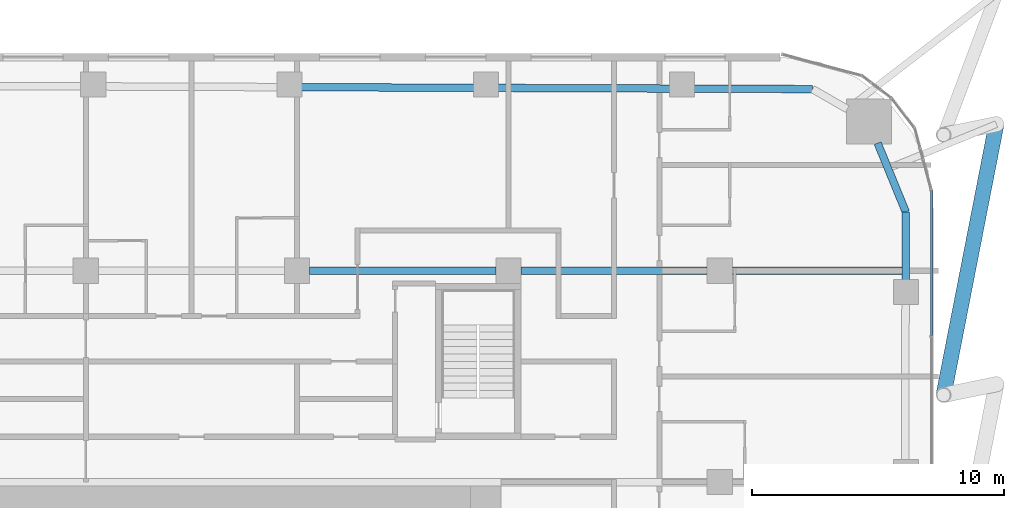
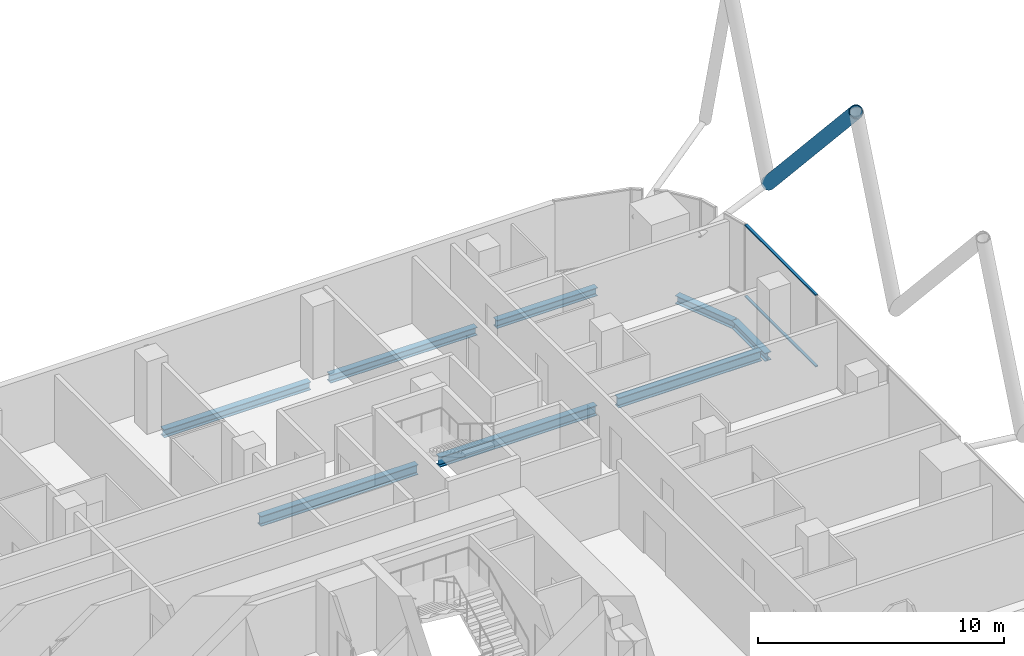
# One storey, part 14 of 36: 8 beams, 3 members, 1 element without a shape of its own.
"""IFC4 building model written with IfcOpenShell, lengths in metres."""

from ifc_helpers import new_model, si_unit, direction, frame, origin, origin_2d, place, context, subcontext, project, spatial, rectangle, hollow_circle, i_section, extrude, material, layer, layer_set, material_profile, profile_set, type_object, element, aggregate, save


model = new_model("IFC4")

# Units and contexts
model_context = context("Model", 3, precision=1e-05, world=origin(), true_north=direction((0.0, 1.0)))
body_context = subcontext(model_context, "Body", "Model", "MODEL_VIEW")
ifc_project = project(units=[si_unit("LENGTHUNIT", "METRE"), si_unit("AREAUNIT", "SQUARE_METRE"), si_unit("VOLUMEUNIT", "CUBIC_METRE"), si_unit("PLANEANGLEUNIT", "RADIAN"), si_unit("MASSUNIT", "GRAM", prefix="KILO")], contexts=[model_context])

# Site, building, storey
site_placement = place(None, origin())
site = spatial("IfcSite", under=ifc_project, at=site_placement, CompositionType="ELEMENT")
building_placement = place(site_placement, origin())
building = spatial("IfcBuilding", under=site, at=building_placement, Name="Marenta Gate Hotel Tower", CompositionType="ELEMENT")
storey_placement = place(building_placement, frame((0.0, 0.0, 83.300048828125)))
storey = spatial("IfcBuildingStorey", under=building, at=storey_placement, Name="L19", CompositionType="ELEMENT", Elevation=83.300048828125)

# Member
ifc_material_1 = material(Name="Steel S355J2W", Category="steel")
ifc_material_profile_1 = material_profile(ifc_material_1, hollow_circle(Radius=0.304931640625, WallThickness=0.0400390625, at=origin_2d()), Name="CHS 610x40")
ifc_profile_set_1 = profile_set([ifc_material_profile_1], Name="Steel S355J2W")
member_type_1 = type_object("IfcMemberType", Name="Diagrid diagonal T1 CHS 610x40", PredefinedType="BRACE", material=ifc_profile_set_1)
member_1_placement = place(storey_placement, frame((32.0, 31.030029296875, 3.139892578125), z_axis=(-0.136403114628, -0.69952185523, 0.701472283398), x_axis=(0.981514045442, -0.191390121478, 0.0)))
element("IfcMember", 1, at=member_1_placement, inside=storey, type_object=member_type_1, Name="L19-DG-2", PredefinedType="BRACE", context=body_context, shape_type="SweptSolid", body=[
    extrude(hollow_circle(Radius=0.304931640625, WallThickness=0.0400390625, at=origin_2d()), origin(), (0.0, 0.0, 1.0), 15.396240234375),
])

# Beams
ifc_material_2 = material(Name="Steel S355", Category="steel")
ifc_material_profile_2 = material_profile(ifc_material_2, i_section(OverallWidth=0.300048828125, OverallDepth=0.39990234375, WebThickness=0.013427734375, FlangeThickness=0.02392578125, FilletRadius=0.027099609375, at=origin_2d()), Name="HEB 400")
ifc_profile_set_2 = profile_set([ifc_material_profile_2], Name="Steel S355")
beam_type_1 = type_object("IfcBeamType", Name="Edge beam HEB 400", PredefinedType="SPANDREL", material=ifc_profile_set_2)
for number, where, z_axis, x_axis, name in (
    (2, (4.361328125, 32.4970703125, -0.4599609375), (0.999993064268, -0.003724435008, 0.0), (0.003724435008, 0.999993064268, 0.0), "L19-EB-17"),
    (3, (12.1640625, 32.468017578125, -0.4599609375), (0.999993064268, -0.003724435008, 0.0), (0.003724435008, 0.999993064268, 0.0), "L19-EB-18"),
):
    element("IfcBeam", number, at=place(storey_placement, frame(where, z_axis=z_axis, x_axis=x_axis)), inside=storey, type_object=beam_type_1, Name=name, PredefinedType="SPANDREL", context=body_context, shape_type="SweptSolid", body=[
        extrude(i_section(OverallWidth=0.300048828125, OverallDepth=0.39990234375, WebThickness=0.013427734375, FlangeThickness=0.02392578125, FilletRadius=0.027099609375, at=origin_2d()), origin(), (0.0, 0.0, 1.0), 6.8828125),
    ])
beam_1_placement = place(storey_placement, frame((19.966796875, 32.43896484375, -0.4599609375), z_axis=(0.999993080272, -0.003720135464, 0.0), x_axis=(0.003720135464, 0.999993080272, 0.0)))
element("IfcBeam", 4, at=beam_1_placement, inside=storey, type_object=beam_type_1, Name="L19-EB-19", PredefinedType="SPANDREL", context=body_context, shape_type="SweptSolid", body=[
    extrude(i_section(OverallWidth=0.300048828125, OverallDepth=0.39990234375, WebThickness=0.013427734375, FlangeThickness=0.02392578125, FilletRadius=0.027099609375, at=origin_2d()), origin(), (0.0, 0.0, 1.0), 4.72509765625),
])
beam_2_placement = place(storey_placement, frame((27.280029296875, 30.2724609375, -0.4599609375), z_axis=(0.378565359962, -0.925574561144, 0.0), x_axis=(0.925574561144, 0.378565359962, 0.0)))
element("IfcBeam", 5, at=beam_2_placement, inside=storey, type_object=beam_type_1, Name="L19-EB-21", PredefinedType="SPANDREL", context=body_context, shape_type="SweptSolid", body=[
    extrude(i_section(OverallWidth=0.300048828125, OverallDepth=0.39990234375, WebThickness=0.013427734375, FlangeThickness=0.02392578125, FilletRadius=0.027099609375, at=origin_2d()), origin(), (0.0, 0.0, 1.0), 2.958251953125),
])
beam_3_placement = place(storey_placement, frame((28.39990234375, 27.534423828125, -0.4599609375), z_axis=(-0.003323434444, -0.999994477376, 0.0), x_axis=(0.999994477376, -0.003323434444, 0.0)))
element("IfcBeam", 6, at=beam_3_placement, inside=storey, type_object=beam_type_1, Name="L19-EB-22", PredefinedType="SPANDREL", context=body_context, shape_type="SweptSolid", body=[
    extrude(i_section(OverallWidth=0.300048828125, OverallDepth=0.39990234375, WebThickness=0.013427734375, FlangeThickness=0.02392578125, FilletRadius=0.027099609375, at=origin_2d()), origin(), (0.0, 0.0, 1.0), 2.718017578125),
])
ifc_material_3 = material(Name="Steel S355", Category="steel")
ifc_material_profile_3 = material_profile(ifc_material_3, i_section(OverallWidth=0.300048828125, OverallDepth=0.5, WebThickness=0.014404296875, FlangeThickness=0.028076171875, FilletRadius=0.027099609375, at=origin_2d()), Name="HEB 500")
ifc_profile_set_3 = profile_set([ifc_material_profile_3], Name="Steel S355")
beam_type_2 = type_object("IfcBeamType", Name="Girder HEB 500", PredefinedType="BEAM", material=ifc_profile_set_3)
beam_4_placement = place(storey_placement, frame((4.699951171875, 25.199951171875, -0.510009765625), z_axis=(1.0, 0.0, 0.0), x_axis=(0.0, 1.0, 0.0)))
element("IfcBeam", 7, at=beam_4_placement, inside=storey, type_object=beam_type_2, Name="L19-GD-26", PredefinedType="BEAM", context=body_context, shape_type="SweptSolid", body=[
    extrude(i_section(OverallWidth=0.300048828125, OverallDepth=0.5, WebThickness=0.014404296875, FlangeThickness=0.028076171875, FilletRadius=0.027099609375, at=origin_2d()), origin(), (0.0, 0.0, 1.0), 7.400146484375),
])
beam_5_placement = place(storey_placement, frame((13.10009765625, 25.199951171875, -0.510009765625), z_axis=(1.0, 0.0, 0.0), x_axis=(0.0, 1.0, 0.0)))
element("IfcBeam", 8, at=beam_5_placement, inside=storey, type_object=beam_type_2, Name="L19-GD-27", PredefinedType="BEAM", context=body_context, shape_type="SweptSolid", body=[
    extrude(i_section(OverallWidth=0.300048828125, OverallDepth=0.5, WebThickness=0.014404296875, FlangeThickness=0.028076171875, FilletRadius=0.027099609375, at=origin_2d()), origin(), (0.0, 0.0, 1.0), 7.39990234375),
])
beam_6_placement = place(storey_placement, frame((21.5, 25.199951171875, -0.510009765625), z_axis=(1.0, 0.0, 0.0), x_axis=(0.0, 1.0, 0.0)))
element("IfcBeam", 9, at=beam_6_placement, inside=storey, type_object=beam_type_2, Name="L19-GD-28", PredefinedType="BEAM", context=body_context, shape_type="SweptSolid", body=[
    extrude(i_section(OverallWidth=0.300048828125, OverallDepth=0.5, WebThickness=0.014404296875, FlangeThickness=0.028076171875, FilletRadius=0.027099609375, at=origin_2d()), origin(), (0.0, 0.0, 1.0), 6.7421875),
])

# Curtain wall, members
ifc_material_4 = material(Name="Tinted insulated glass in bronze anodised frame", Category="glass")
ifc_layer = layer(ifc_material_4, 0.1201171875)
ifc_layer_set = layer_set([ifc_layer], Name="Tinted insulated glass in bronze anodised frame")
curtain_wall_type = type_object("IfcCurtainWallType", Name="Tower unitised curtain wall CW1", PredefinedType="NOTDEFINED", material=ifc_layer_set)
curtain_wall_placement = place(storey_placement, origin())
curtain_wall = element("IfcCurtainWall", 10, at=curtain_wall_placement, inside=storey, type_object=curtain_wall_type, Name="CW1 run G34", PredefinedType="NOTDEFINED")
ifc_material_5 = material(Name="Bronze anodised aluminium", Category="aluminium")
ifc_material_profile_4 = material_profile(ifc_material_5, rectangle(XDim=0.1201171875, YDim=0.06005859375, at=origin_2d()), Name="Transom CW1 60x120 bronze anodised aluminium")
ifc_profile_set_4 = profile_set([ifc_material_profile_4], Name="Bronze anodised aluminium")
member_type_2 = type_object("IfcMemberType", Name="Transom CW1 60x120 bronze anodised aluminium", PredefinedType="USERDEFINED", material=ifc_profile_set_4)
member_2_placement = place(storey_placement, frame((29.4140625, 22.616455078125, 0.030029296875), z_axis=(0.0, 1.0, 0.0), x_axis=(-1.0, 0.0, 0.0)))
member_2 = element("IfcMember", 11, at=member_2_placement, type_object=member_type_2, Name="CW1 transom 3.1", ObjectType="TRANSOM", PredefinedType="USERDEFINED", context=body_context, shape_type="SweptSolid", body=[
    extrude(rectangle(XDim=0.1201171875, YDim=0.06005859375, at=origin_2d()), origin(), (0.0, 0.0, 1.0), 5.775390625),
])
member_3_placement = place(storey_placement, frame((29.4140625, 22.616455078125, 3.570068359375), z_axis=(0.0, 1.0, 0.0), x_axis=(-1.0, 0.0, 0.0)))
member_3 = element("IfcMember", 12, at=member_3_placement, type_object=member_type_2, Name="CW1 transom 3.2", ObjectType="TRANSOM", PredefinedType="USERDEFINED", context=body_context, shape_type="SweptSolid", body=[
    extrude(rectangle(XDim=0.1201171875, YDim=0.06005859375, at=origin_2d()), origin(), (0.0, 0.0, 1.0), 5.775390625),
])
aggregate(curtain_wall, [member_2, member_3])

save(model, "model.ifc")
